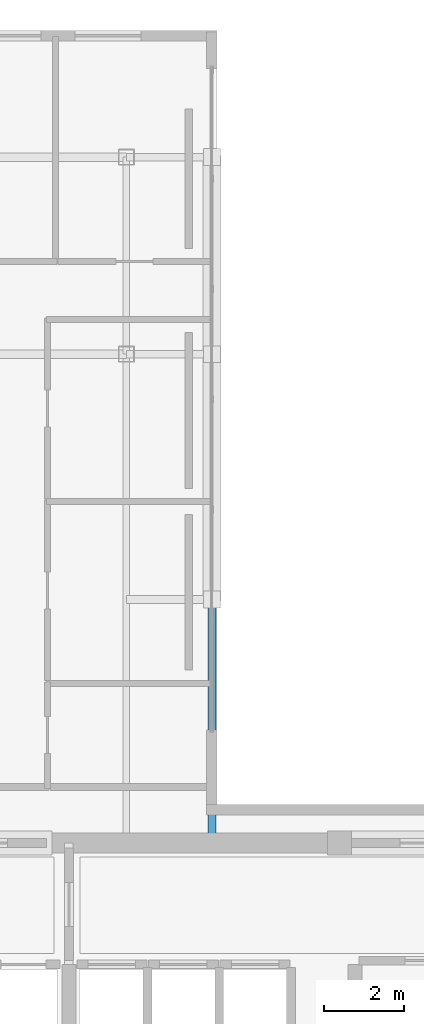
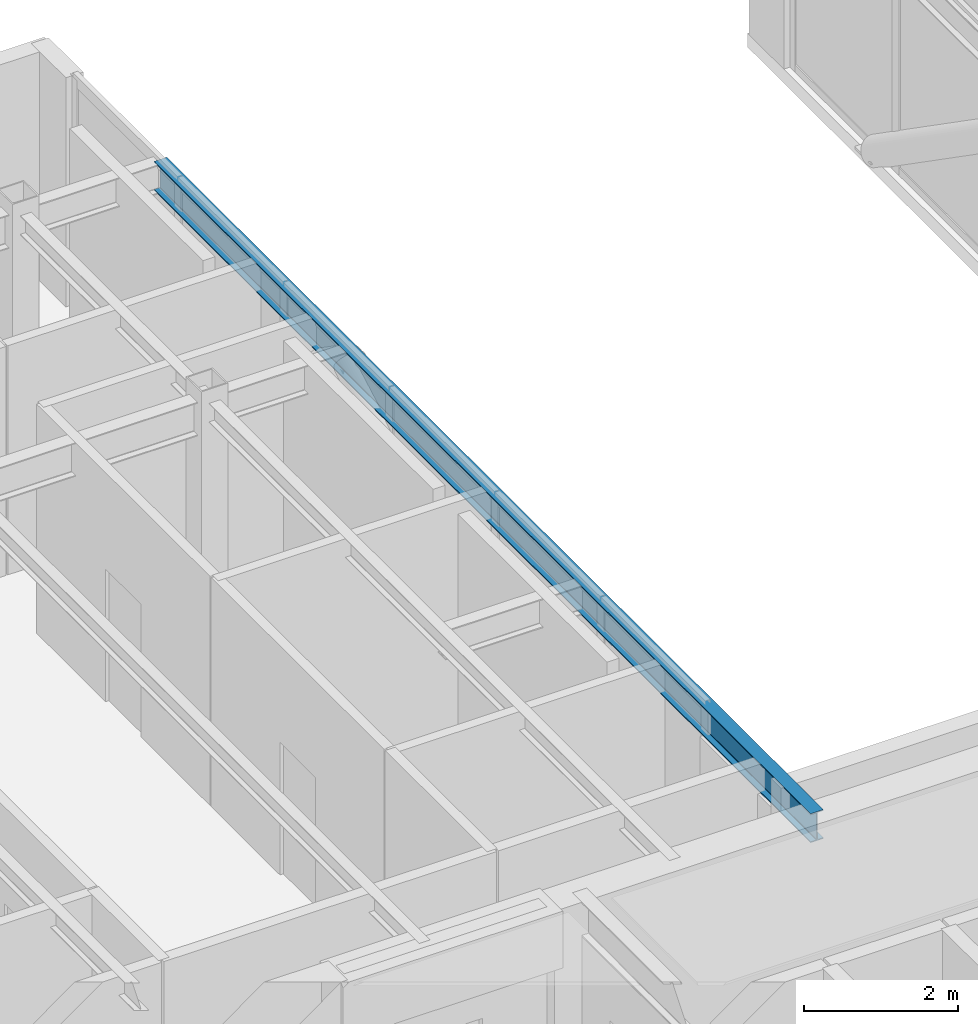
# One storey, part 7 of 18: 1 beam.
"""IFC4 building model written with IfcOpenShell, lengths in metres."""

from ifc_helpers import new_model, si_unit, direction, frame, origin, origin_2d, place, context, subcontext, project, spatial, i_section, extrude, material, material_profile, profile_set, type_object, element, save


model = new_model("IFC4")

# Units and contexts
model_context = context("Model", 3, precision=1e-05, world=origin(), true_north=direction((0.0, 1.0)))
body_context = subcontext(model_context, "Body", "Model", "MODEL_VIEW")
ifc_project = project(units=[si_unit("LENGTHUNIT", "METRE"), si_unit("AREAUNIT", "SQUARE_METRE"), si_unit("VOLUMEUNIT", "CUBIC_METRE"), si_unit("PLANEANGLEUNIT", "RADIAN"), si_unit("MASSUNIT", "GRAM", prefix="KILO")], contexts=[model_context])

# Site, building, storey
site_placement = place(None, origin())
site = spatial("IfcSite", under=ifc_project, at=site_placement, CompositionType="ELEMENT")
building_placement = place(site_placement, origin())
building = spatial("IfcBuilding", under=site, at=building_placement, Name="Ventersveld Concourse Tower", CompositionType="ELEMENT")
storey_placement = place(building_placement, frame((0.0, 0.0, 341.35009765625)))
storey = spatial("IfcBuildingStorey", under=building, at=storey_placement, Name="L84", CompositionType="ELEMENT", Elevation=341.35009765625)

# Beam
ifc_material = material(Name="Structural steel S355J2", Category="steel")
ifc_material_profile = material_profile(ifc_material, i_section(OverallWidth=0.19140625, OverallDepth=0.4599609375, WebThickness=0.010009765625, FlangeThickness=0.01611328125, FilletRadius=0.01025390625, at=origin_2d()), Name="UB 457x191x82")
ifc_profile_set = profile_set([ifc_material_profile], Name="Structural steel S355J2")
beam_type = type_object("IfcBeamType", Name="SPD-UB457", PredefinedType="SPANDREL", material=ifc_profile_set)
beam_placement = place(storey_placement, frame((23.3798828125, 11.449951171875, 3.39990234375), z_axis=(0.0, 1.0, 0.0), x_axis=(-1.0, 0.0, 0.0)))
element("IfcBeam", 1, at=beam_placement, inside=storey, type_object=beam_type, Name="L84 Wind Portal West Edge Spandrel", PredefinedType="SPANDREL", context=body_context, shape_type="SweptSolid", body=[
    extrude(i_section(OverallWidth=0.19140625, OverallDepth=0.4599609375, WebThickness=0.010009765625, FlangeThickness=0.01611328125, FilletRadius=0.01025390625, at=origin_2d()), origin(), (0.0, 0.0, 1.0), 17.050048828125),
])

save(model, "model.ifc")
